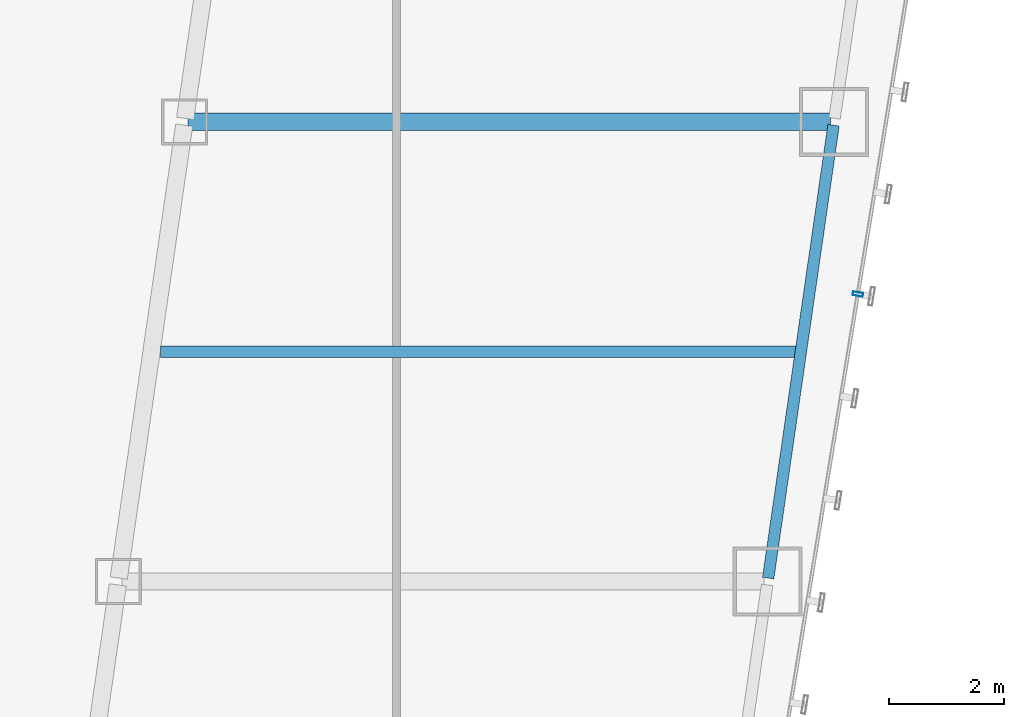
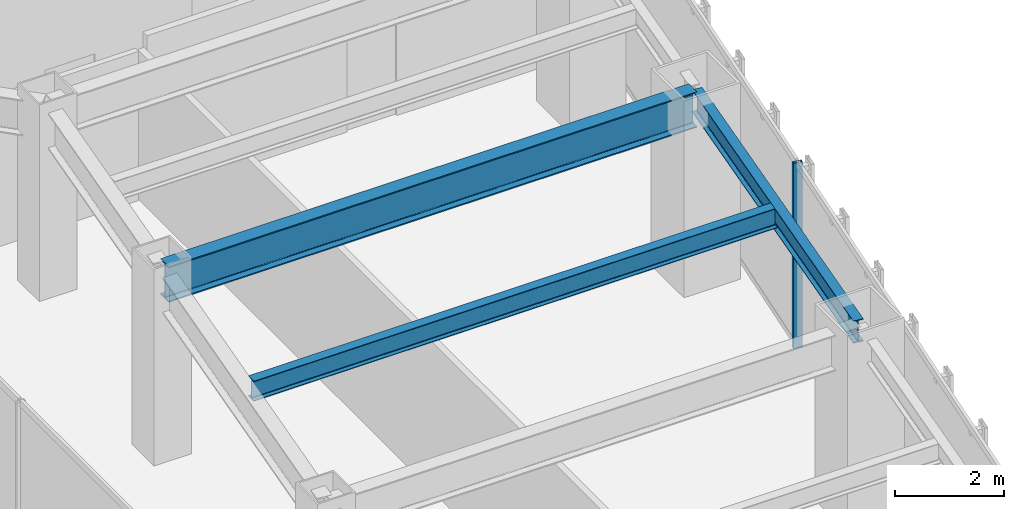
# One storey, part 21 of 47: 3 beams, 1 member, 1 element without a shape of its own.
"""IFC4 building model written with IfcOpenShell, lengths in metres."""

from ifc_helpers import new_model, si_unit, direction, frame, origin, origin_2d, place, context, subcontext, project, spatial, hollow_rectangle, i_section, extrude, material, material_profile, profile_set, type_object, element, aggregate, save


model = new_model("IFC4")

# Units and contexts
model_context = context("Model", 3, precision=1e-05, world=origin(), true_north=direction((0.0, 1.0)))
body_context = subcontext(model_context, "Body", "Model", "MODEL_VIEW")
ifc_project = project(units=[si_unit("LENGTHUNIT", "METRE"), si_unit("AREAUNIT", "SQUARE_METRE"), si_unit("VOLUMEUNIT", "CUBIC_METRE"), si_unit("PLANEANGLEUNIT", "RADIAN"), si_unit("MASSUNIT", "GRAM", prefix="KILO")], contexts=[model_context])

# Site, building, storey
site_placement = place(None, origin())
site = spatial("IfcSite", under=ifc_project, at=site_placement, CompositionType="ELEMENT")
building_placement = place(site_placement, origin())
building = spatial("IfcBuilding", under=site, at=building_placement, Name="Saevonmaru Cultural Tower", CompositionType="ELEMENT")
storey_placement = place(building_placement, frame((0.0, 0.0, 51.60009765625)))
storey = spatial("IfcBuildingStorey", under=building, at=storey_placement, Name="L10", CompositionType="ELEMENT", Elevation=51.60009765625)

# Beams
ifc_material_1 = material(Name="Steel SM420", Category="steel")
ifc_material_profile_1 = material_profile(ifc_material_1, i_section(OverallWidth=0.300048828125, OverallDepth=0.800048828125, WebThickness=0.013916015625, FlangeThickness=0.02587890625, FilletRadius=0.028076171875, at=origin_2d()), Name="H-800x300x14x26")
ifc_profile_set_1 = profile_set([ifc_material_profile_1], Name="Steel SM420")
beam_type_1 = type_object("IfcBeamType", Name="BM-G-H800", PredefinedType="BEAM", material=ifc_profile_set_1)
beam_1_placement = place(storey_placement, frame((40.443115234375, 32.0, 3.75), z_axis=(1.0, 0.0, 0.0), x_axis=(0.0, 1.0, 0.0)))
element("IfcBeam", 1, at=beam_1_placement, inside=storey, type_object=beam_type_1, Name="L10 East Wing Transverse Girder 5", PredefinedType="BEAM", context=body_context, shape_type="SweptSolid", body=[
    extrude(i_section(OverallWidth=0.300048828125, OverallDepth=0.800048828125, WebThickness=0.013916015625, FlangeThickness=0.02587890625, FilletRadius=0.028076171875, at=origin_2d()), origin(), (0.0, 0.0, 1.0), 11.179931640625),
])
ifc_material_2 = material(Name="Steel SM355", Category="steel")
ifc_material_profile_2 = material_profile(ifc_material_2, i_section(OverallWidth=0.199951171875, OverallDepth=0.449951171875, WebThickness=0.009033203125, FlangeThickness=0.013916015625, FilletRadius=0.01806640625, at=origin_2d()), Name="H-450x200x9x14")
ifc_profile_set_2 = profile_set([ifc_material_profile_2], Name="Steel SM355")
beam_type_2 = type_object("IfcBeamType", Name="BM-J-H450", PredefinedType="JOIST", material=ifc_profile_set_2)
beam_2_placement = place(storey_placement, frame((39.96337890625, 28.0, 3.9248046875), z_axis=(1.0, 0.0, 0.0), x_axis=(0.0, 1.0, 0.0)))
element("IfcBeam", 2, at=beam_2_placement, inside=storey, type_object=beam_type_2, Name="L10 East Wing Floor Joist 4", PredefinedType="JOIST", context=body_context, shape_type="SweptSolid", body=[
    extrude(i_section(OverallWidth=0.199951171875, OverallDepth=0.449951171875, WebThickness=0.009033203125, FlangeThickness=0.013916015625, FilletRadius=0.01806640625, at=origin_2d()), origin(), (0.0, 0.0, 1.0), 11.08203125),
])
ifc_material_profile_3 = material_profile(ifc_material_2, i_section(OverallWidth=0.199951171875, OverallDepth=0.5, WebThickness=0.010009765625, FlangeThickness=0.01611328125, FilletRadius=0.02001953125, at=origin_2d()), Name="H-500x200x10x16")
ifc_profile_set_3 = profile_set([ifc_material_profile_3], Name="Steel SM355")
beam_type_3 = type_object("IfcBeamType", Name="BM-SP-H500", PredefinedType="SPANDREL", material=ifc_profile_set_3)
beam_3_placement = place(storey_placement, frame((50.53662109375, 24.059326171875, 3.89990234375), z_axis=(0.142871999001, 0.989741174197, 0.0), x_axis=(-0.989741174197, 0.142871999001, 0.0)))
element("IfcBeam", 3, at=beam_3_placement, inside=storey, type_object=beam_type_3, Name="L10 East Splayed Spandrel 4", PredefinedType="SPANDREL", context=body_context, shape_type="SweptSolid", body=[
    extrude(i_section(OverallWidth=0.199951171875, OverallDepth=0.5, WebThickness=0.010009765625, FlangeThickness=0.01611328125, FilletRadius=0.02001953125, at=origin_2d()), origin(), (0.0, 0.0, 1.0), 7.963134765625),
])

# Curtain wall, member
ifc_material_3 = material(Name="Satin Bronze Anodised Aluminium", Category="aluminium")
curtain_wall_type = type_object("IfcCurtainWallType", Name="CW-TYP-A", PredefinedType="NOTDEFINED", material=ifc_material_3)
curtain_wall_placement = place(storey_placement, origin())
curtain_wall = element("IfcCurtainWall", 4, at=curtain_wall_placement, inside=storey, type_object=curtain_wall_type, Name="L10 Unitised Curtain Wall E8", PredefinedType="NOTDEFINED")
ifc_material_profile_4 = material_profile(ifc_material_3, hollow_rectangle(XDim=0.06494140625, YDim=0.179931640625, WallThickness=0.00390625, at=origin_2d()), Name="ALU-MULL-180x65x4")
ifc_profile_set_4 = profile_set([ifc_material_profile_4], Name="Satin Bronze Anodised Aluminium")
member_type = type_object("IfcMemberType", Name="ML-CW-180x65", PredefinedType="MULLION", material=ifc_profile_set_4)
member_placement = place(storey_placement, frame((52.10009765625, 29.0, 0.0), z_axis=(0.0, 0.0, 1.0), x_axis=(0.161708868641, 0.986838508472, 0.0)))
member = element("IfcMember", 5, at=member_placement, type_object=member_type, Name="CW-TW-L10-E8 mullion 3", PredefinedType="MULLION", context=body_context, shape_type="SweptSolid", body=[
    extrude(hollow_rectangle(XDim=0.06494140625, YDim=0.179931640625, WallThickness=0.00390625, at=origin_2d()), origin(), (0.0, 0.0, 1.0), 4.14990234375),
])
aggregate(curtain_wall, [member])

save(model, "model.ifc")
